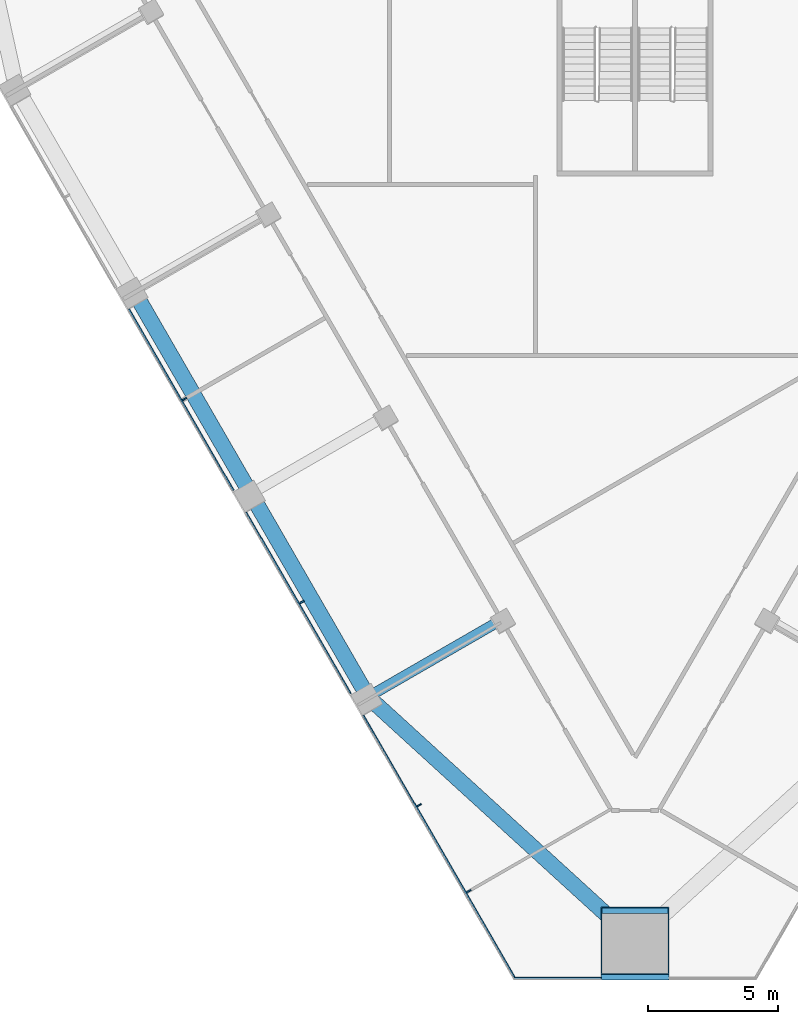
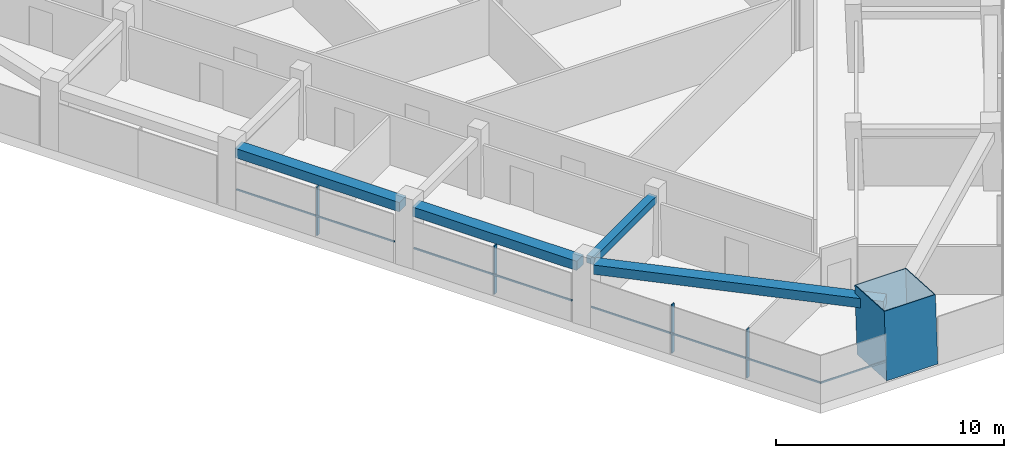
# One storey, part 2 of 13: 9 members, 4 beams, 2 elements without a shape of their own.
"""IFC4 building model written with IfcOpenShell, lengths in metres."""

from ifc_helpers import new_model, si_unit, direction, frame, origin, origin_2d, place, context, subcontext, project, spatial, rectangle, hollow_rectangle, extrude, material, layer, layer_set, material_profile, profile_set, type_object, element, aggregate, save


model = new_model("IFC4")

# Units and contexts
model_context = context("Model", 3, precision=1e-05, world=origin(), true_north=direction((0.0, 1.0)))
body_context = subcontext(model_context, "Body", "Model", "MODEL_VIEW")
ifc_project = project(units=[si_unit("LENGTHUNIT", "METRE"), si_unit("AREAUNIT", "SQUARE_METRE"), si_unit("VOLUMEUNIT", "CUBIC_METRE"), si_unit("PLANEANGLEUNIT", "RADIAN"), si_unit("MASSUNIT", "GRAM", prefix="KILO")], contexts=[model_context])

# Site, building, storey
site_placement = place(None, origin())
site = spatial("IfcSite", under=ifc_project, at=site_placement, CompositionType="ELEMENT")
building_placement = place(site_placement, origin())
building = spatial("IfcBuilding", under=site, at=building_placement, Name="Altiplano Prism Tower", CompositionType="ELEMENT")
storey_placement = place(building_placement, frame((0.0, 0.0, 59.39990234375)))
storey = spatial("IfcBuildingStorey", under=building, at=storey_placement, Name="L14", CompositionType="ELEMENT", Elevation=59.39990234375)

# Curtain wall, members
ifc_material_1 = material(Name="Aluminium and glass", Category="aluminium")
ifc_layer = layer(ifc_material_1, 0.303955078125)
ifc_layer_set = layer_set([ifc_layer], Name="Aluminium and glass")
curtain_wall_type = type_object("IfcCurtainWallType", Name="CW2 lounge-band unitised glazing", PredefinedType="NOTDEFINED", material=ifc_layer_set)
curtain_wall_1_placement = place(storey_placement, origin())
curtain_wall_1 = element("IfcCurtainWall", 1, at=curtain_wall_1_placement, inside=storey, type_object=curtain_wall_type, Name="CW2 curtain wall south-west face L14", PredefinedType="NOTDEFINED")
ifc_material_2 = material(Name="Aluminium", Category="aluminium")
ifc_material_profile_1 = material_profile(ifc_material_2, rectangle(XDim=0.199951171875, YDim=0.06005859375, at=origin_2d()), Name="CW2 mullion 60 x 200")
ifc_profile_set_1 = profile_set([ifc_material_profile_1], Name="Aluminium")
member_type_1 = type_object("IfcMemberType", Name="CW2 mullion 60 x 200", PredefinedType="MULLION", material=ifc_profile_set_1)
member_1_placement = place(storey_placement, frame((67.7099609375, 74.848876953125, 0.0), z_axis=(0.0, 0.0, 1.0), x_axis=(0.866025407284, 0.499999993939, 0.0)))
member_1 = element("IfcMember", 2, at=member_1_placement, type_object=member_type_1, Name="CW2 mullion", PredefinedType="MULLION", context=body_context, shape_type="SweptSolid", body=[
    extrude(rectangle(XDim=0.199951171875, YDim=0.06005859375, at=origin_2d()), origin(), (0.0, 0.0, 1.0), 2.60009765625),
])
member_2_placement = place(storey_placement, frame((72.2099609375, 67.0546875, 0.0), z_axis=(0.0, 0.0, 1.0), x_axis=(0.866025407284, 0.499999993939, 0.0)))
member_2 = element("IfcMember", 3, at=member_2_placement, type_object=member_type_1, Name="CW2 mullion", PredefinedType="MULLION", context=body_context, shape_type="SweptSolid", body=[
    extrude(rectangle(XDim=0.199951171875, YDim=0.06005859375, at=origin_2d()), origin(), (0.0, 0.0, 1.0), 2.60009765625),
])
member_3_placement = place(storey_placement, frame((76.7099609375, 59.260498046875, 0.0), z_axis=(0.0, 0.0, 1.0), x_axis=(0.866025407284, 0.499999993939, 0.0)))
member_3 = element("IfcMember", 4, at=member_3_placement, type_object=member_type_1, Name="CW2 mullion", PredefinedType="MULLION", context=body_context, shape_type="SweptSolid", body=[
    extrude(rectangle(XDim=0.199951171875, YDim=0.06005859375, at=origin_2d()), origin(), (0.0, 0.0, 1.0), 2.60009765625),
])
member_4_placement = place(storey_placement, frame((78.616455078125, 55.958251953125, 0.0), z_axis=(0.0, 0.0, 1.0), x_axis=(0.866025407284, 0.499999993939, 0.0)))
member_4 = element("IfcMember", 5, at=member_4_placement, type_object=member_type_1, Name="CW2 mullion", PredefinedType="MULLION", context=body_context, shape_type="SweptSolid", body=[
    extrude(rectangle(XDim=0.199951171875, YDim=0.06005859375, at=origin_2d()), origin(), (0.0, 0.0, 1.0), 2.60009765625),
])
ifc_material_profile_2 = material_profile(ifc_material_2, rectangle(XDim=0.06005859375, YDim=0.080078125, at=origin_2d()), Name="CW2 transom 80 x 60")
ifc_profile_set_2 = profile_set([ifc_material_profile_2], Name="Aluminium")
member_type_2 = type_object("IfcMemberType", Name="CW2 transom 80 x 60", PredefinedType="USERDEFINED", material=ifc_profile_set_2)
member_5_placement = place(storey_placement, frame((65.57275390625, 78.290771484375, 1.10009765625), z_axis=(0.499999136801, -0.866025902152, 0.0), x_axis=(0.866025902152, 0.499999136801, 0.0)))
member_5 = element("IfcMember", 6, at=member_5_placement, type_object=member_type_2, Name="CW2 transom", ObjectType="TRANSOM", PredefinedType="USERDEFINED", context=body_context, shape_type="SweptSolid", body=[
    extrude(rectangle(XDim=0.06005859375, YDim=0.080078125, at=origin_2d()), origin(), (0.0, 0.0, 1.0), 8.02001953125),
])
member_6_placement = place(storey_placement, frame((70.07275390625, 70.49658203125, 1.10009765625), z_axis=(0.499999136801, -0.866025902152, 0.0), x_axis=(0.866025902152, 0.499999136801, 0.0)))
member_6 = element("IfcMember", 7, at=member_6_placement, type_object=member_type_2, Name="CW2 transom", ObjectType="TRANSOM", PredefinedType="USERDEFINED", context=body_context, shape_type="SweptSolid", body=[
    extrude(rectangle(XDim=0.06005859375, YDim=0.080078125, at=origin_2d()), origin(), (0.0, 0.0, 1.0), 8.02001953125),
])
member_7_placement = place(storey_placement, frame((74.57275390625, 62.7021484375, 1.10009765625), z_axis=(0.500000605394, -0.86602505426, 0.0), x_axis=(0.86602505426, 0.500000605394, 0.0)))
member_7 = element("IfcMember", 8, at=member_7_placement, type_object=member_type_2, Name="CW2 transom", ObjectType="TRANSOM", PredefinedType="USERDEFINED", context=body_context, shape_type="SweptSolid", body=[
    extrude(rectangle(XDim=0.06005859375, YDim=0.080078125, at=origin_2d()), origin(), (0.0, 0.0, 1.0), 11.67529296875),
])
aggregate(curtain_wall_1, [member_1, member_5, member_2, member_6, member_3, member_4, member_7])

# Curtain wall, member
curtain_wall_2_placement = place(storey_placement, origin())
curtain_wall_2 = element("IfcCurtainWall", 9, at=curtain_wall_2_placement, inside=storey, type_object=curtain_wall_type, Name="CW2 curtain wall south chamfer L14", PredefinedType="NOTDEFINED")
member_8_placement = place(storey_placement, frame((80.346435546875, 52.628173828125, 1.10009765625), z_axis=(1.0, 0.0, 0.0), x_axis=(0.0, 1.0, 0.0)))
member_8 = element("IfcMember", 10, at=member_8_placement, type_object=member_type_2, Name="CW2 transom", ObjectType="TRANSOM", PredefinedType="USERDEFINED", context=body_context, shape_type="SweptSolid", body=[
    extrude(rectangle(XDim=0.06005859375, YDim=0.080078125, at=origin_2d()), origin(), (0.0, 0.0, 1.0), 3.353515625),
])
aggregate(curtain_wall_2, [member_8])

# Beams
ifc_material_3 = material(Name="Concrete C60/75", Category="concrete")
ifc_material_profile_3 = material_profile(ifc_material_3, rectangle(XDim=0.60009765625, YDim=0.5, at=origin_2d()), Name="Edge beam 600x500")
ifc_profile_set_3 = profile_set([ifc_material_profile_3], Name="Concrete C60/75")
beam_type_1 = type_object("IfcBeamType", Name="Edge beam 600x500", PredefinedType="SPANDREL", material=ifc_profile_set_3)
for number, where, z_axis, x_axis, name in (
    (11, (65.91796875, 78.7216796875, 2.85009765625), (0.500014701701, -0.866016915587, 0.0), (0.866016915587, 0.500014701701, 0.0), "Edge beam P12-P13 L15"),
    (12, (70.41796875, 70.927490234375, 2.85009765625), (0.500014701701, -0.866016915587, 0.0), (0.866016915587, 0.500014701701, 0.0), "Edge beam P13-P14 L15"),
):
    element("IfcBeam", number, at=place(storey_placement, frame(where, z_axis=z_axis, x_axis=x_axis)), inside=storey, type_object=beam_type_1, Name=name, PredefinedType="SPANDREL", context=body_context, shape_type="SweptSolid", body=[
        extrude(rectangle(XDim=0.60009765625, YDim=0.5, at=origin_2d()), origin(), (0.0, 0.0, 1.0), 8.340087890625),
    ])
beam_1_placement = place(storey_placement, frame((75.01318359375, 63.181640625, 2.85009765625), z_axis=(0.738534819189, -0.674215337148, 0.0), x_axis=(0.674215337148, 0.738534819189, 0.0)))
element("IfcBeam", 13, at=beam_1_placement, inside=storey, type_object=beam_type_1, Name="Edge beam P14-M1 L15", PredefinedType="SPANDREL", context=body_context, shape_type="SweptSolid", body=[
    extrude(rectangle(XDim=0.60009765625, YDim=0.5, at=origin_2d()), origin(), (0.0, 0.0, 1.0), 13.072509765625),
])

# Member
ifc_material_4 = material(Name="Steel S460", Category="steel")
ifc_material_profile_4 = material_profile(ifc_material_4, hollow_rectangle(XDim=2.60009765625, YDim=2.60009765625, WallThickness=0.0400390625, at=origin_2d()), Name="Mega column tube 2600")
ifc_profile_set_4 = profile_set([ifc_material_profile_4], Name="Steel S460")
member_type_3 = type_object("IfcMemberType", Name="Mega column tube 2600", PredefinedType="POST", material=ifc_profile_set_4)
member_9_placement = place(storey_placement, frame((85.0, 53.854248046875, 0.0), z_axis=(0.0, 0.058356907999, 0.998295783467), x_axis=(-1.0, 0.0, 0.0)))
element("IfcMember", 14, at=member_9_placement, inside=storey, type_object=member_type_3, Name="Mega column tube M1 L14", PredefinedType="POST", context=body_context, shape_type="SweptSolid", body=[
    extrude(hollow_rectangle(XDim=2.60009765625, YDim=2.60009765625, WallThickness=0.0400390625, at=origin_2d()), origin(), (0.0, 0.0, 1.0), 3.606201171875),
])

# Beam
ifc_material_profile_5 = material_profile(ifc_material_3, rectangle(XDim=0.39990234375, YDim=0.39990234375, at=origin_2d()), Name="Tie beam 400x400")
ifc_profile_set_5 = profile_set([ifc_material_profile_5], Name="Concrete C60/75")
beam_type_2 = type_object("IfcBeamType", Name="Tie beam 400x400", PredefinedType="BEAM", material=ifc_profile_set_5)
beam_2_placement = place(storey_placement, frame((79.79345703125, 66.3291015625, 2.900146484375), z_axis=(-0.866042665983, -0.499970099802, 0.0), x_axis=(0.499970099802, -0.866042665983, 0.0)))
element("IfcBeam", 15, at=beam_2_placement, inside=storey, type_object=beam_type_2, Name="Tie beam I14 L15", PredefinedType="BEAM", context=body_context, shape_type="SweptSolid", body=[
    extrude(rectangle(XDim=0.39990234375, YDim=0.39990234375, at=origin_2d()), origin(), (0.0, 0.0, 1.0), 5.489990234375),
])

save(model, "model.ifc")
